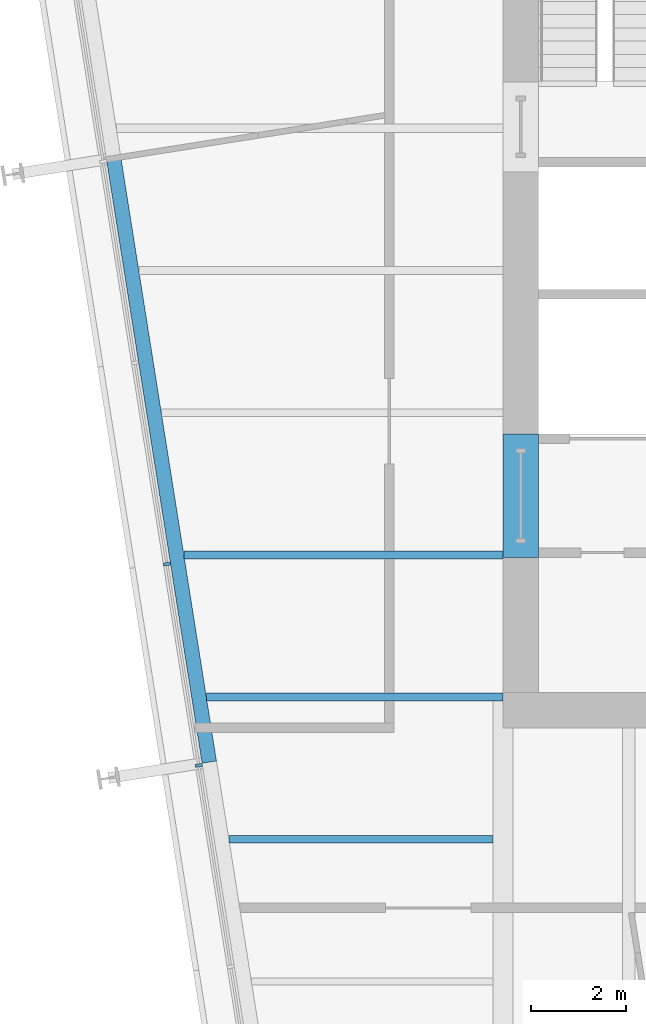
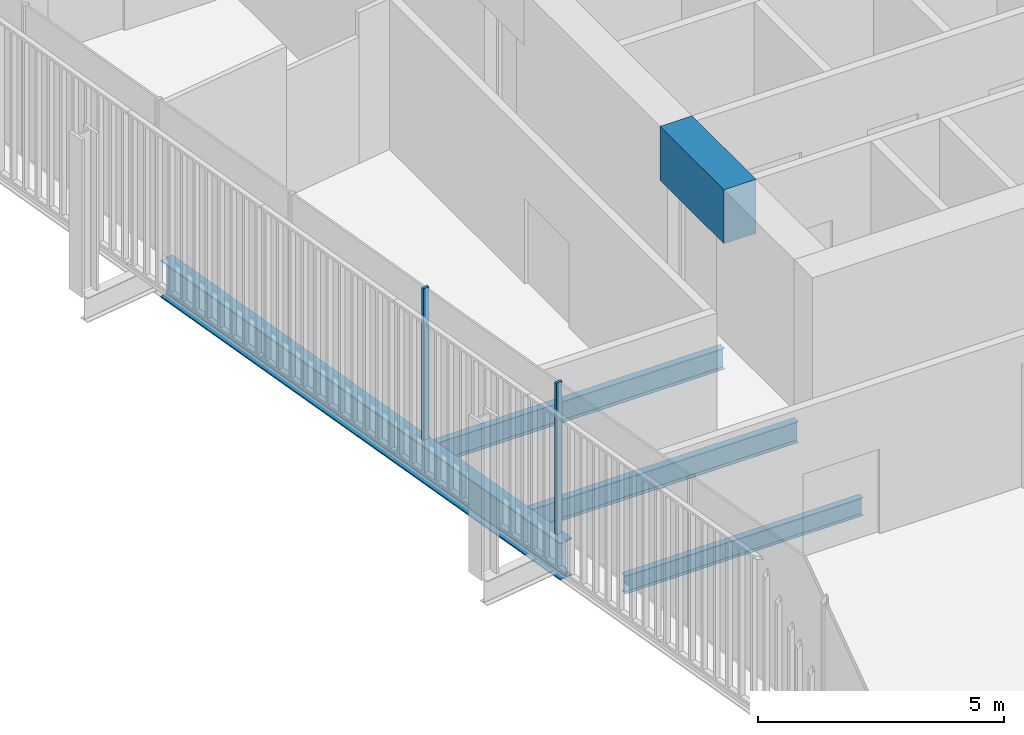
# One storey, part 4 of 21: 5 beams, 2 members, 1 element without a shape of its own.
"""IFC4 building model written with IfcOpenShell, lengths in metres."""

from ifc_helpers import new_model, si_unit, direction, frame, origin, origin_2d, place, context, subcontext, project, spatial, rectangle, i_section, extrude, material, layer, layer_set, material_profile, profile_set, type_object, element, aggregate, save


model = new_model("IFC4")

# Units and contexts
model_context = context("Model", 3, precision=1e-05, world=origin(), true_north=direction((0.0, 1.0)))
body_context = subcontext(model_context, "Body", "Model", "MODEL_VIEW")
ifc_project = project(units=[si_unit("LENGTHUNIT", "METRE"), si_unit("AREAUNIT", "SQUARE_METRE"), si_unit("VOLUMEUNIT", "CUBIC_METRE"), si_unit("PLANEANGLEUNIT", "RADIAN"), si_unit("MASSUNIT", "GRAM", prefix="KILO")], contexts=[model_context])

# Site, building, storey
site_placement = place(None, origin())
site = spatial("IfcSite", under=ifc_project, at=site_placement, CompositionType="ELEMENT")
building_placement = place(site_placement, origin())
building = spatial("IfcBuilding", under=site, at=building_placement, Name="Millrace Tower", CompositionType="ELEMENT")
storey_placement = place(building_placement, frame((0.0, 0.0, 141.199951171875)))
storey = spatial("IfcBuildingStorey", under=building, at=storey_placement, Name="L31", CompositionType="ELEMENT", Elevation=141.199951171875)

# Curtain wall, members
ifc_material_1 = material(Name="Aluminium and glass", Category="aluminium")
ifc_layer = layer(ifc_material_1, 0.14990234375)
ifc_layer_set = layer_set([ifc_layer], Name="Aluminium and glass")
curtain_wall_type = type_object("IfcCurtainWallType", Name="CW-1 office vision curtain wall", PredefinedType="NOTDEFINED", material=ifc_layer_set)
curtain_wall_placement = place(storey_placement, origin())
curtain_wall = element("IfcCurtainWall", 1, at=curtain_wall_placement, inside=storey, type_object=curtain_wall_type, Name="Curtain wall C-F08 L31", PredefinedType="NOTDEFINED")
ifc_material_2 = material(Name="Aluminium", Category="aluminium")
ifc_material_profile_1 = material_profile(ifc_material_2, rectangle(XDim=0.06494140625, YDim=0.14990234375, at=origin_2d()))
ifc_profile_set_1 = profile_set([ifc_material_profile_1], Name="Aluminium")
member_type = type_object("IfcMemberType", Name="CW-1 office vision curtain wall mullion", PredefinedType="MULLION", material=ifc_profile_set_1)
member_1_placement = place(storey_placement, frame((-21.743408203125, -6.193603515625, 0.14013671875), z_axis=(0.0, 0.0, 1.0), x_axis=(0.15643447328, -0.98768833929, 0.0)))
member_1 = element("IfcMember", 2, at=member_1_placement, type_object=member_type, Name="CW1 mullion C-F08.6", PredefinedType="MULLION", context=body_context, shape_type="SweptSolid", body=[
    extrude(rectangle(XDim=0.06494140625, YDim=0.14990234375, at=origin_2d()), origin(), (0.0, 0.0, 1.0), 3.760009765625),
])
member_2_placement = place(storey_placement, frame((-21.070556640625, -10.440673828125, 0.14013671875), z_axis=(0.0, 0.0, 1.0), x_axis=(0.15643447328, -0.98768833929, 0.0)))
member_2 = element("IfcMember", 3, at=member_2_placement, type_object=member_type, Name="CW1 mullion C-F08.7", PredefinedType="MULLION", context=body_context, shape_type="SweptSolid", body=[
    extrude(rectangle(XDim=0.06494140625, YDim=0.14990234375, at=origin_2d()), origin(), (0.0, 0.0, 1.0), 3.760009765625),
])
aggregate(curtain_wall, [member_1, member_2])

# Beams
ifc_material_3 = material(Name="Concrete C70", Category="concrete")
ifc_material_profile_2 = material_profile(ifc_material_3, rectangle(XDim=0.75, YDim=1.340087890625, at=origin_2d()))
ifc_profile_set_2 = profile_set([ifc_material_profile_2], Name="Concrete C70")
beam_type_1 = type_object("IfcBeamType", Name="Coupling beam 750 x 1340 Concrete C70, 2000 opening", PredefinedType="BEAM", material=ifc_profile_set_2)
beam_1_placement = place(storey_placement, frame((-14.27490234375, -6.050048828125, 3.070068359375), z_axis=(0.0, 1.0, 0.0), x_axis=(-1.0, 0.0, 0.0)))
element("IfcBeam", 4, at=beam_1_placement, inside=storey, type_object=beam_type_1, Name="Coupling beam W L31", PredefinedType="BEAM", context=body_context, shape_type="SweptSolid", body=[
    extrude(rectangle(XDim=0.75, YDim=1.340087890625, at=origin_2d()), origin(), (0.0, 0.0, 1.0), 2.60009765625),
])
ifc_material_4 = material(Name="Steel ASTM A992 Grade 50", Category="steel")
ifc_material_profile_3 = material_profile(ifc_material_4, i_section(OverallWidth=0.15234375, OverallDepth=0.449462890625, WebThickness=0.007568359375, FlangeThickness=0.0107421875, FilletRadius=0.01025390625, at=origin_2d()))
ifc_profile_set_3 = profile_set([ifc_material_profile_3], Name="Steel ASTM A992 Grade 50")
beam_type_2 = type_object("IfcBeamType", Name="Floor beam W18x35", PredefinedType="JOIST", material=ifc_profile_set_3)
beam_2_placement = place(storey_placement, frame((-20.4365234375, -12.0, -0.384765625), z_axis=(1.0, 0.0, 0.0), x_axis=(0.0, 1.0, 0.0)))
element("IfcBeam", 5, at=beam_2_placement, inside=storey, type_object=beam_type_2, Name="BM-C-L31-S1-S008", PredefinedType="JOIST", context=body_context, shape_type="SweptSolid", body=[
    extrude(i_section(OverallWidth=0.15234375, OverallDepth=0.449462890625, WebThickness=0.007568359375, FlangeThickness=0.0107421875, FilletRadius=0.01025390625, at=origin_2d()), origin(), (0.0, 0.0, 1.0), 5.576904296875),
])
ifc_material_5 = material(Name="Steel ASTM A992 Grade 50", Category="steel")
ifc_material_profile_4 = material_profile(ifc_material_5, i_section(OverallWidth=0.1650390625, OverallDepth=0.52587890625, WebThickness=0.0087890625, FlangeThickness=0.011474609375, FilletRadius=0.0126953125, at=origin_2d()))
ifc_profile_set_4 = profile_set([ifc_material_profile_4], Name="Steel ASTM A992 Grade 50")
beam_type_3 = type_object("IfcBeamType", Name="Floor beam W21x44", PredefinedType="JOIST", material=ifc_profile_set_4)
beam_3_placement = place(storey_placement, frame((-20.91162109375, -9.0, -0.4228515625), z_axis=(1.0, 0.0, 0.0), x_axis=(0.0, 1.0, 0.0)))
element("IfcBeam", 6, at=beam_3_placement, inside=storey, type_object=beam_type_3, Name="BM-C-L31-S1-S011", PredefinedType="JOIST", context=body_context, shape_type="SweptSolid", body=[
    extrude(i_section(OverallWidth=0.1650390625, OverallDepth=0.52587890625, WebThickness=0.0087890625, FlangeThickness=0.011474609375, FilletRadius=0.0126953125, at=origin_2d()), origin(), (0.0, 0.0, 1.0), 6.26171875),
])
beam_4_placement = place(storey_placement, frame((-21.386962890625, -6.0, -0.4228515625), z_axis=(1.0, 0.0, 0.0), x_axis=(0.0, 1.0, 0.0)))
element("IfcBeam", 7, at=beam_4_placement, inside=storey, type_object=beam_type_3, Name="BM-C-L31-S1-S014", PredefinedType="JOIST", context=body_context, shape_type="SweptSolid", body=[
    extrude(i_section(OverallWidth=0.1650390625, OverallDepth=0.52587890625, WebThickness=0.0087890625, FlangeThickness=0.011474609375, FilletRadius=0.0126953125, at=origin_2d()), origin(), (0.0, 0.0, 1.0), 6.737060546875),
])
ifc_material_6 = material(Name="Steel ASTM A992 Grade 50", Category="steel")
ifc_material_profile_5 = material_profile(ifc_material_6, i_section(OverallWidth=0.307373046875, OverallDepth=0.927001953125, WebThickness=0.01953125, FlangeThickness=0.031982421875, FilletRadius=0.01904296875, at=origin_2d()))
ifc_profile_set_5 = profile_set([ifc_material_profile_5], Name="Steel ASTM A992 Grade 50")
beam_type_4 = type_object("IfcBeamType", Name="Ring beam medium span W36x194", PredefinedType="SPANDREL", material=ifc_profile_set_5)
beam_5_placement = place(storey_placement, frame((-20.849853515625, -10.372802734375, -0.62353515625), z_axis=(-0.156438763615, 0.987687659758, 0.0), x_axis=(-0.987687659758, -0.156438763615, 0.0)))
element("IfcBeam", 8, at=beam_5_placement, inside=storey, type_object=beam_type_4, Name="RNG-C-L31-S1-02", PredefinedType="SPANDREL", context=body_context, shape_type="SweptSolid", body=[
    extrude(i_section(OverallWidth=0.307373046875, OverallDepth=0.927001953125, WebThickness=0.01953125, FlangeThickness=0.031982421875, FilletRadius=0.01904296875, at=origin_2d()), origin(), (0.0, 0.0, 1.0), 12.900146484375),
])

save(model, "model.ifc")
